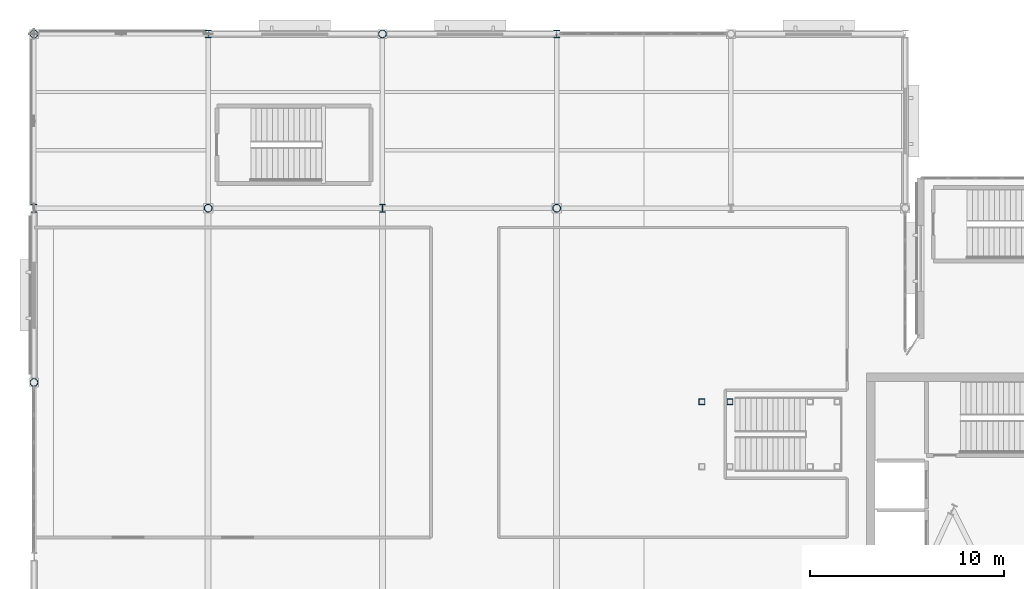
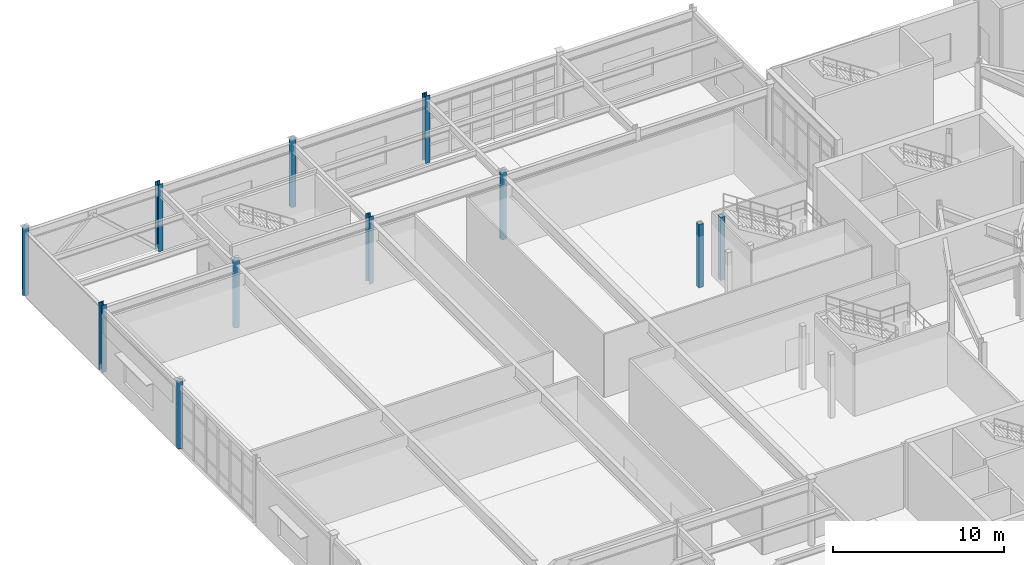
# One storey, part 10 of 84: 11 columns.
"""IFC4 building model written with IfcOpenShell, lengths in metres."""

import ifcopenshell
import ifcopenshell.guid

model = None  # the IFC model being written
_history = None  # IfcOwnerHistory: only IFC2X3 demands one
_inside = {}  # id of a spatial element -> (the spatial element, [elements in it])
_under = {}  # id of a project, library or spatial element -> (it, [spatial elements below it])
_declared = {}  # id of a project -> (the project, [libraries it declares])
_typed = {}  # id of a type object -> (the type object, [elements of that type])
_made_of = {}  # id of a material, layer set ... -> (it, [elements and type objects made of it])


def new_model(schema):
    """Start an empty IFC model of exactly this schema.

    Asked for "IFC4X3", IfcOpenShell would pick the latest addendum, in which some entities
    have other attributes; the version numbers below select the first issue.
    IFC2X3 requires an IfcOwnerHistory on every rooted entity: one is made here for all.
    """
    global model, _history
    if schema == "IFC4X3":
        model = ifcopenshell.file(schema_version=(4, 3, 0, 0))
    else:
        model = ifcopenshell.file(schema=schema)
    _inside.clear()
    _under.clear()
    _declared.clear()
    _typed.clear()
    _made_of.clear()
    _history = None
    if model.schema == "IFC2X3":
        org = make("IfcOrganization", Name="unknown")
        user = make(
            "IfcPersonAndOrganization",
            ThePerson=make("IfcPerson", FamilyName="unknown"),
            TheOrganization=org,
        )
        app = make(
            "IfcApplication",
            ApplicationDeveloper=org,
            Version="unknown",
            ApplicationFullName="unknown",
            ApplicationIdentifier="unknown",
        )
        _history = make(
            "IfcOwnerHistory",
            OwningUser=user,
            OwningApplication=app,
            ChangeAction="ADDED",
            CreationDate=0,
        )
    return model


def make(cls, **values):
    """One entity of the class cls with the attributes given. An attribute that is None is left unset."""
    return model.create_entity(
        cls, **{name: value for name, value in values.items() if value is not None}
    )


def rooted(cls, **values):
    """An entity with a GlobalId (a new one), such as an element, a storey or a relation."""
    return make(cls, GlobalId=ifcopenshell.guid.new(), OwnerHistory=_history, **values)


def si_unit(unit_type, name, prefix=None):
    """IfcSIUnit, for example si_unit("LENGTHUNIT", "METRE", prefix="MILLI")."""
    return make("IfcSIUnit", UnitType=unit_type, Prefix=prefix, Name=name)


def assignment(units):
    """IfcUnitAssignment: the units of a project."""
    return None if units is None else make("IfcUnitAssignment", Units=units)


def point(xyz):
    """IfcCartesianPoint."""
    return None if xyz is None else make("IfcCartesianPoint", Coordinates=xyz)


def direction(xyz):
    """IfcDirection."""
    return None if xyz is None else make("IfcDirection", DirectionRatios=xyz)


def frame(location, z_axis=None, x_axis=None):
    """IfcAxis2Placement3D, a coordinate frame: its origin and axes. An axis left out is left unset."""
    return make(
        "IfcAxis2Placement3D",
        Location=point(location),
        Axis=direction(z_axis),
        RefDirection=direction(x_axis),
    )


def frame_2d(location, x_axis=None):
    """IfcAxis2Placement2D, a coordinate frame in the plane: its origin and x axis."""
    return make(
        "IfcAxis2Placement2D", Location=point(location), RefDirection=direction(x_axis)
    )


def origin():
    """The frame at (0, 0, 0) with its axes left unset."""
    return frame((0.0, 0.0, 0.0))


def origin_2d():
    """The frame at (0, 0) in the plane with its x axis left unset."""
    return frame_2d((0.0, 0.0))


def place(relative_to, where):
    """IfcLocalPlacement: puts the frame where relative to a parent placement (None: the world)."""
    return make(
        "IfcLocalPlacement", PlacementRelTo=relative_to, RelativePlacement=where
    )


def context(
    kind, dimensions, precision=None, world=None, true_north=None, identifier=None
):
    """IfcGeometricRepresentationContext, for example the 3D "Model" context."""
    return make(
        "IfcGeometricRepresentationContext",
        ContextIdentifier=identifier,
        ContextType=kind,
        CoordinateSpaceDimension=dimensions,
        Precision=precision,
        WorldCoordinateSystem=world,
        TrueNorth=true_north,
    )


def subcontext(parent, identifier, kind, view, scale=None):
    """IfcGeometricRepresentationSubContext, for example "Body" below "Model"."""
    return make(
        "IfcGeometricRepresentationSubContext",
        ContextIdentifier=identifier,
        ContextType=kind,
        ParentContext=parent,
        TargetScale=scale,
        TargetView=view,
    )


def project(units=None, contexts=None):
    """IfcProject with its units and contexts."""
    return rooted(
        "IfcProject",
        Name="project",
        RepresentationContexts=contexts,
        UnitsInContext=assignment(units),
    )


def spatial(cls, under=None, at=None, **own):
    """A site, building, storey or space (cls), placed at a placement, below another one or the project."""
    s = rooted(cls, ObjectPlacement=at, **own)
    if under is not None:
        _under.setdefault(under.id(), (under, []))[1].append(s)
    return s


def profile(cls, at=None, kind="AREA", **sizes):
    """A parametric profile (cls). Its sizes go by their IFC names, for example OverallWidth=200.0."""
    return make(cls, ProfileType=kind, Position=at, **sizes)


def hollow_rectangle(**sizes):
    """IfcRectangleHollowProfileDef."""
    return profile("IfcRectangleHollowProfileDef", **sizes)


def hollow_circle(**sizes):
    """IfcCircleHollowProfileDef."""
    return profile("IfcCircleHollowProfileDef", **sizes)


def i_section(**sizes):
    """IfcIShapeProfileDef."""
    return profile("IfcIShapeProfileDef", **sizes)


def extrude(swept, where, along, depth):
    """IfcExtrudedAreaSolid: the profile swept, set in the frame where, extruded along a direction by depth."""
    return make(
        "IfcExtrudedAreaSolid",
        SweptArea=swept,
        Position=where,
        ExtrudedDirection=direction(along),
        Depth=depth,
    )


def shape(context_of_items, identifier, shape_type, items):
    """IfcShapeRepresentation: the items that make up one representation, for example the "Body"."""
    return make(
        "IfcShapeRepresentation",
        ContextOfItems=context_of_items,
        RepresentationIdentifier=identifier,
        RepresentationType=shape_type,
        Items=items,
    )


def material(Name=None, Category=None):
    """IfcMaterial."""
    return make("IfcMaterial", Name=Name, Category=Category)


def material_profile(
    of_material, cross_section, Name=None, Category=None, Priority=None
):
    """IfcMaterialProfile: a cross section and its material."""
    return make(
        "IfcMaterialProfile",
        Name=Name,
        Material=of_material,
        Profile=cross_section,
        Priority=Priority,
        Category=Category,
    )


def profile_set(profiles, Name=None, composite=None):
    """IfcMaterialProfileSet."""
    return make(
        "IfcMaterialProfileSet",
        Name=Name,
        MaterialProfiles=profiles,
        CompositeProfile=composite,
    )


def made_of(thing, what):
    """Note that an element or type object is made of a material, layer set ...; save() writes the relation."""
    if what is not None:
        _made_of.setdefault(what.id(), (what, []))[1].append(thing)
    return thing


def type_object(cls, material=None, **own):
    """A type object (cls), such as IfcWallType, which elements share."""
    return made_of(rooted(cls, **own), material)


def element(
    cls,
    number,
    at=None,
    inside=None,
    cuts=None,
    type_object=None,
    material=None,
    context=None,
    identifier="Body",
    shape_type=None,
    held_by="IfcProductDefinitionShape",
    body=None,
    shapes=None,
    **own,
):
    """One element of the class cls, such as IfcWall. Its Tag is "e" and its number.

    at: its placement. inside: the storey or other place that contains it. cuts: it is an
    opening in that element (IfcRelVoidsElement). A single representation is given by context,
    identifier, shape_type and body (its items); several are given by shapes. held_by: the class
    of the entity that holds the representations. save() writes the other relations.
    """
    e = rooted(cls, Tag="e%d" % number, ObjectPlacement=at, **own)
    if body is not None:
        shapes = [shape(context, identifier, shape_type, body)]
    if shapes is not None:
        e.Representation = make(held_by, Representations=shapes)
    if inside is not None:
        _inside.setdefault(inside.id(), (inside, []))[1].append(e)
    if cuts is not None:
        rooted(
            "IfcRelVoidsElement", RelatingBuildingElement=cuts, RelatedOpeningElement=e
        )
    if type_object is not None:
        _typed.setdefault(type_object.id(), (type_object, []))[1].append(e)
    return made_of(e, material)


def aggregate(whole, parts):
    """IfcRelAggregates: a whole, such as a stair, and the parts it consists of."""
    return rooted("IfcRelAggregates", RelatingObject=whole, RelatedObjects=parts)


def save(model, path):
    """Write the relations noted so far, then the file.

    IfcRelAggregates (storeys below a building ...), IfcRelContainedInSpatialStructure (elements
    in a storey), IfcRelDefinesByType, IfcRelAssociatesMaterial and IfcRelDeclares: one each for
    every whole, place, type object, material and project.
    """
    for whole, parts in _under.values():
        aggregate(whole, parts)
    for where, things in _inside.values():
        rooted(
            "IfcRelContainedInSpatialStructure",
            RelatedElements=things,
            RelatingStructure=where,
        )
    for kind, things in _typed.values():
        rooted("IfcRelDefinesByType", RelatedObjects=things, RelatingType=kind)
    for what, things in _made_of.values():
        rooted("IfcRelAssociatesMaterial", RelatedObjects=things, RelatingMaterial=what)
    for by, libraries in _declared.values():
        rooted("IfcRelDeclares", RelatingContext=by, RelatedDefinitions=libraries)
    model.write(path)


model = new_model("IFC4")

# Units and contexts
model_context = context("Model", 3, precision=1e-05, world=origin(), true_north=direction((0.0, 1.0)))
body_context = subcontext(model_context, "Body", "Model", "MODEL_VIEW")
ifc_project = project(units=[si_unit("LENGTHUNIT", "METRE"), si_unit("AREAUNIT", "SQUARE_METRE"), si_unit("VOLUMEUNIT", "CUBIC_METRE"), si_unit("PLANEANGLEUNIT", "RADIAN"), si_unit("MASSUNIT", "GRAM", prefix="KILO")], contexts=[model_context])

# Site, building, storey
site_placement = place(None, origin())
site = spatial("IfcSite", under=ifc_project, at=site_placement, CompositionType="ELEMENT")
building_placement = place(site_placement, origin())
building = spatial("IfcBuilding", under=site, at=building_placement, Name="Glasvene Arena", CompositionType="ELEMENT")
storey_placement = place(building_placement, frame((0.0, 0.0, 10.199951171875)))
storey = spatial("IfcBuildingStorey", under=building, at=storey_placement, Name="L02", CompositionType="ELEMENT", Elevation=10.199951171875)

# Columns
ifc_material = material(Name="Steel S355J2", Category="steel")
ifc_material_profile_1 = material_profile(ifc_material, hollow_circle(Radius=0.203125, WallThickness=0.01611328125, at=origin_2d()), Name="CHS 406.4x16.0")
ifc_profile_set_1 = profile_set([ifc_material_profile_1], Name="Steel S355J2")
column_type_1 = type_object("IfcColumnType", Name="COL-W-CHS406", PredefinedType="COLUMN", material=ifc_profile_set_1)
for number, where, z_axis, x_axis, name in (
    (1, (0.0, 100.0, 0.0), (0.0, 0.0, 1.0), (1.0, 0.0, 0.0), "Grid column 1-12 L02"),
    (2, (0.0, 118.0, 0.0), (0.0, 0.0, 1.0), (1.0, 0.0, 0.0), "Grid column 1-14 L02"),
    (3, (9.0, 109.0, 0.0), (0.0, 0.0, 1.0), (1.0, 0.0, 0.0), "Grid column 2-13 L02"),
    (4, (18.0, 118.0, 0.0), (0.0, 0.0, 1.0), (1.0, 0.0, 0.0), "Grid column 3-14 L02"),
    (5, (27.0, 109.0, 0.0), (0.0, 0.0, 1.0), (1.0, 0.0, 0.0), "Grid column 4-13 L02"),
):
    element("IfcColumn", number, at=place(storey_placement, frame(where, z_axis=z_axis, x_axis=x_axis)), inside=storey, type_object=column_type_1, Name=name, PredefinedType="COLUMN", context=body_context, shape_type="SweptSolid", body=[
        extrude(hollow_circle(Radius=0.203125, WallThickness=0.01611328125, at=origin_2d()), origin(), (0.0, 0.0, 1.0), 4.800048828125),
    ])
ifc_material_profile_2 = material_profile(ifc_material, i_section(OverallWidth=0.300048828125, OverallDepth=0.39990234375, WebThickness=0.013427734375, FlangeThickness=0.02392578125, FilletRadius=0.027099609375, at=origin_2d()), Name="HEB 400")
ifc_profile_set_2 = profile_set([ifc_material_profile_2], Name="Steel S355J2")
column_type_2 = type_object("IfcColumnType", Name="COL-W-HEB400", PredefinedType="COLUMN", material=ifc_profile_set_2)
for number, where, z_axis, x_axis, name in (
    (6, (0.0, 109.0, 0.0), (0.0, 0.0, 1.0), (1.0, 0.0, 0.0), "Grid column 1-13 L02"),
    (7, (9.0, 118.0, 0.0), (0.0, 0.0, 1.0), (1.0, 0.0, 0.0), "Grid column 2-14 L02"),
    (8, (18.0, 109.0, 0.0), (0.0, 0.0, 1.0), (1.0, 0.0, 0.0), "Grid column 3-13 L02"),
    (9, (27.0, 118.0, 0.0), (0.0, 0.0, 1.0), (1.0, 0.0, 0.0), "Grid column 4-14 L02"),
):
    element("IfcColumn", number, at=place(storey_placement, frame(where, z_axis=z_axis, x_axis=x_axis)), inside=storey, type_object=column_type_2, Name=name, PredefinedType="COLUMN", context=body_context, shape_type="SweptSolid", body=[
        extrude(i_section(OverallWidth=0.300048828125, OverallDepth=0.39990234375, WebThickness=0.013427734375, FlangeThickness=0.02392578125, FilletRadius=0.027099609375, at=origin_2d()), origin(), (0.0, 0.0, 1.0), 4.800048828125),
    ])
ifc_material_profile_3 = material_profile(ifc_material, hollow_rectangle(XDim=0.300048828125, YDim=0.300048828125, WallThickness=0.012451171875, at=origin_2d()), Name="SHS 300x300x12.5")
ifc_profile_set_3 = profile_set([ifc_material_profile_3], Name="Steel S355J2")
column_type_3 = type_object("IfcColumnType", Name="COL-W-SHS300", PredefinedType="COLUMN", material=ifc_profile_set_3)
for number, where, z_axis, x_axis, name in (
    (10, (34.5, 99.0, 0.0), (0.0, 0.0, 1.0), (1.0, 0.0, 0.0), "Vomitory arrival support column VOM-06 L02"),
    (11, (35.949951171875, 99.0, 0.0), (0.0, 0.0, 1.0), (1.0, 0.0, 0.0), "Vomitory arrival support column VOM-06 L02"),
):
    element("IfcColumn", number, at=place(storey_placement, frame(where, z_axis=z_axis, x_axis=x_axis)), inside=storey, type_object=column_type_3, Name=name, PredefinedType="COLUMN", context=body_context, shape_type="SweptSolid", body=[
        extrude(hollow_rectangle(XDim=0.300048828125, YDim=0.300048828125, WallThickness=0.012451171875, at=origin_2d()), origin(), (0.0, 0.0, 1.0), 4.52001953125),
    ])

save(model, "model.ifc")
